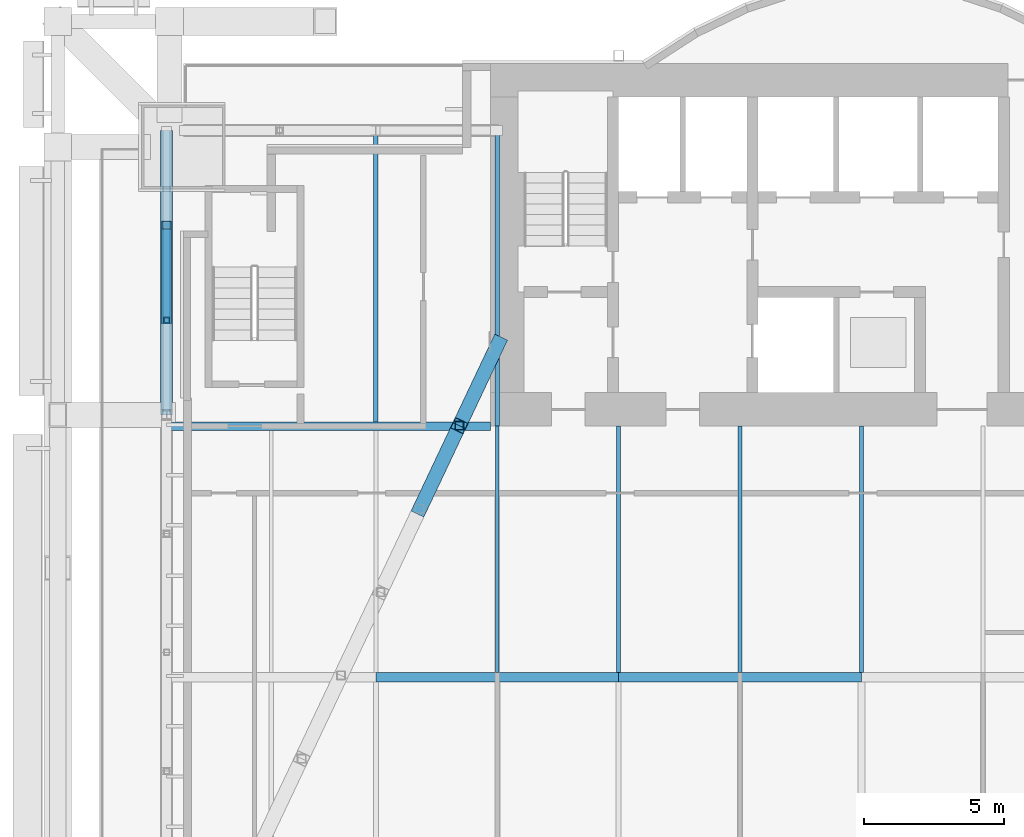
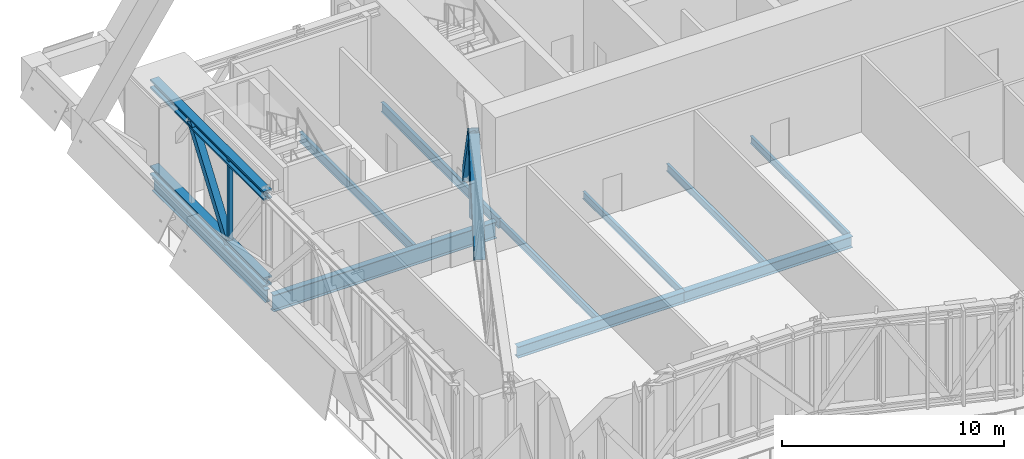
# One storey, part 9 of 32: 10 beams, 7 members.
"""IFC4 building model written with IfcOpenShell, lengths in metres."""

from ifc_helpers import new_model, si_unit, direction, frame, origin, origin_2d, place, context, subcontext, project, spatial, hollow_rectangle, i_section, extrude, material, material_profile, profile_set, type_object, element, save


model = new_model("IFC4")

# Units and contexts
model_context = context("Model", 3, precision=1e-05, world=origin(), true_north=direction((0.0, 1.0)))
body_context = subcontext(model_context, "Body", "Model", "MODEL_VIEW")
ifc_project = project(units=[si_unit("LENGTHUNIT", "METRE"), si_unit("AREAUNIT", "SQUARE_METRE"), si_unit("VOLUMEUNIT", "CUBIC_METRE"), si_unit("PLANEANGLEUNIT", "RADIAN"), si_unit("MASSUNIT", "GRAM", prefix="KILO")], contexts=[model_context])

# Site, building, storey
site_placement = place(None, origin())
site = spatial("IfcSite", under=ifc_project, at=site_placement, CompositionType="ELEMENT")
building_placement = place(site_placement, origin())
building = spatial("IfcBuilding", under=site, at=building_placement, Name="Bicima Exchange Tower", CompositionType="ELEMENT")
storey_placement = place(building_placement, frame((0.0, 0.0, 135.0)))
storey = spatial("IfcBuildingStorey", under=building, at=storey_placement, Name="L29", CompositionType="ELEMENT", Elevation=135.0)

# Members
ifc_material_1 = material(Name="Steel ASTM A992 Gr 50", Category="steel")
ifc_material_profile_1 = material_profile(ifc_material_1, i_section(OverallWidth=0.431884765625, OverallDepth=0.497802734375, WebThickness=0.0556640625, FlangeThickness=0.0888671875, at=origin_2d()))
ifc_profile_set_1 = profile_set([ifc_material_profile_1], Name="Steel ASTM A992 Gr 50")
member_type_1 = type_object("IfcMemberType", Name="Belt truss chord W14x500", PredefinedType="CHORD", material=ifc_profile_set_1)
for number, where, z_axis, x_axis, name in (
    (1, (-33.60009765625, -2.39990234375, 5.001220703125), (0.0, -1.0, 0.0), (1.0, 0.0, 0.0), "Top chord"),
    (2, (-33.60009765625, -2.39990234375, 0.248779296875), (0.0, -1.0, 0.0), (1.0, 0.0, 0.0), "Bottom chord"),
):
    element("IfcMember", number, at=place(storey_placement, frame(where, z_axis=z_axis, x_axis=x_axis)), inside=storey, type_object=member_type_1, Name=name, PredefinedType="CHORD", context=body_context, shape_type="SweptSolid", body=[
        extrude(i_section(OverallWidth=0.431884765625, OverallDepth=0.497802734375, WebThickness=0.0556640625, FlangeThickness=0.0888671875, at=origin_2d()), origin(), (0.0, 0.0, 1.0), 10.2001953125),
    ])
ifc_material_2 = material(Name="Steel ASTM A572 Gr 50", Category="steel")
ifc_material_profile_2 = material_profile(ifc_material_2, hollow_rectangle(XDim=0.355712890625, YDim=0.355712890625, WallThickness=0.0146484375, at=origin_2d()))
ifc_profile_set_2 = profile_set([ifc_material_profile_2], Name="Steel ASTM A572 Gr 50")
member_type_2 = type_object("IfcMemberType", Name="Belt truss diagonal HSS14x14x5/8", PredefinedType="STRUT", material=ifc_profile_set_2)
member_1_placement = place(storey_placement, frame((-33.60009765625, -5.800048828125, 5.001220703125), z_axis=(0.0, -0.581838774812, -0.813304149827), x_axis=(1.0, 0.0, 0.0)))
element("IfcMember", 3, at=member_1_placement, inside=storey, type_object=member_type_2, Name="Truss diagonal", PredefinedType="STRUT", context=body_context, shape_type="SweptSolid", body=[
    extrude(hollow_rectangle(XDim=0.355712890625, YDim=0.355712890625, WallThickness=0.0146484375, at=origin_2d()), origin(), (0.0, 0.0, 1.0), 5.84326171875),
])
ifc_material_profile_3 = material_profile(ifc_material_2, hollow_rectangle(XDim=0.203125, YDim=0.203125, WallThickness=0.01171875, at=origin_2d()))
ifc_profile_set_3 = profile_set([ifc_material_profile_3], Name="Steel ASTM A572 Gr 50")
member_type_3 = type_object("IfcMemberType", Name="Belt truss post HSS8x8x1/2", PredefinedType="POST", material=ifc_profile_set_3)
member_2_placement = place(storey_placement, frame((-33.60009765625, -9.199951171875, 0.248779296875), z_axis=(0.0, 0.0, 1.0), x_axis=(1.0, 0.0, 0.0)))
element("IfcMember", 4, at=member_2_placement, inside=storey, type_object=member_type_3, Name="Truss post", PredefinedType="POST", context=body_context, shape_type="SweptSolid", body=[
    extrude(hollow_rectangle(XDim=0.203125, YDim=0.203125, WallThickness=0.01171875, at=origin_2d()), origin(), (0.0, 0.0, 1.0), 4.75244140625),
])

# Beams
ifc_material_profile_4 = material_profile(ifc_material_1, i_section(OverallWidth=0.3046875, OverallDepth=0.911865234375, WebThickness=0.015869140625, FlangeThickness=0.02392578125, at=origin_2d()))
ifc_profile_set_4 = profile_set([ifc_material_profile_4], Name="Steel ASTM A992 Gr 50")
beam_type_1 = type_object("IfcBeamType", Name="Core-line girder W36x150", PredefinedType="BEAM", material=ifc_profile_set_4)
beam_1_placement = place(storey_placement, frame((-22.0, -13.0, -0.656005859375), z_axis=(-1.0, 0.0, 0.0), x_axis=(0.0, -1.0, 0.0)))
element("IfcBeam", 5, at=beam_1_placement, inside=storey, type_object=beam_type_1, Name="Core-line girder", PredefinedType="BEAM", context=body_context, shape_type="SweptSolid", body=[
    extrude(i_section(OverallWidth=0.3046875, OverallDepth=0.911865234375, WebThickness=0.015869140625, FlangeThickness=0.02392578125, at=origin_2d()), origin(), (0.0, 0.0, 1.0), 11.60009765625),
])
ifc_material_profile_5 = material_profile(ifc_material_1, i_section(OverallWidth=0.256591796875, OverallDepth=0.693359375, WebThickness=0.014404296875, FlangeThickness=0.023681640625, at=origin_2d()))
ifc_profile_set_5 = profile_set([ifc_material_profile_5], Name="Steel ASTM A992 Gr 50")
beam_type_2 = type_object("IfcBeamType", Name="End girder W27x114", PredefinedType="BEAM", material=ifc_profile_set_5)
beam_2_placement = place(storey_placement, frame((-33.60009765625, -2.39990234375, -0.546630859375), z_axis=(0.0, -1.0, 0.0), x_axis=(1.0, 0.0, 0.0)))
element("IfcBeam", 6, at=beam_2_placement, inside=storey, type_object=beam_type_2, Name="End girder", PredefinedType="BEAM", context=body_context, shape_type="SweptSolid", body=[
    extrude(i_section(OverallWidth=0.256591796875, OverallDepth=0.693359375, WebThickness=0.014404296875, FlangeThickness=0.023681640625, at=origin_2d()), origin(), (0.0, 0.0, 1.0), 10.2001953125),
])
ifc_material_profile_6 = material_profile(ifc_material_1, i_section(OverallWidth=0.140380859375, OverallDepth=0.40380859375, WebThickness=0.007080078125, FlangeThickness=0.01123046875, at=origin_2d()))
ifc_profile_set_6 = profile_set([ifc_material_profile_6], Name="Steel ASTM A992 Gr 50")
beam_type_3 = type_object("IfcBeamType", Name="Floor beam W16x31", PredefinedType="JOIST", material=ifc_profile_set_6)
for number, where, z_axis, x_axis, name in (
    (7, (-21.75, -13.0, -0.40185546875), (0.0, -1.0, 0.0), (1.0, 0.0, 0.0), "Floor beam"),
    (8, (-17.39990234375, -13.0, -0.40185546875), (0.0, -1.0, 0.0), (1.0, 0.0, 0.0), "Floor beam"),
    (9, (-13.050048828125, -13.0, -0.40185546875), (0.0, -1.0, 0.0), (1.0, 0.0, 0.0), "Floor beam"),
    (10, (-8.699951171875, -13.0, -0.40185546875), (0.0, -1.0, 0.0), (1.0, 0.0, 0.0), "Floor beam"),
):
    element("IfcBeam", number, at=place(storey_placement, frame(where, z_axis=z_axis, x_axis=x_axis)), inside=storey, type_object=beam_type_3, Name=name, PredefinedType="JOIST", context=body_context, shape_type="SweptSolid", body=[
        extrude(i_section(OverallWidth=0.140380859375, OverallDepth=0.40380859375, WebThickness=0.007080078125, FlangeThickness=0.01123046875, at=origin_2d()), origin(), (0.0, 0.0, 1.0), 8.83740234375),
    ])
ifc_material_profile_7 = material_profile(ifc_material_1, i_section(OverallWidth=0.165771484375, OverallDepth=0.5283203125, WebThickness=0.009765625, FlangeThickness=0.013671875, at=origin_2d()))
ifc_profile_set_7 = profile_set([ifc_material_profile_7], Name="Steel ASTM A992 Gr 50")
beam_type_4 = type_object("IfcBeamType", Name="Floor beam W21x50", PredefinedType="JOIST", material=ifc_profile_set_7)
beam_3_placement = place(storey_placement, frame((-26.10009765625, -2.5625, -0.464111328125), z_axis=(0.0, -1.0, 0.0), x_axis=(1.0, 0.0, 0.0)))
element("IfcBeam", 11, at=beam_3_placement, inside=storey, type_object=beam_type_4, Name="Floor beam", PredefinedType="JOIST", context=body_context, shape_type="SweptSolid", body=[
    extrude(i_section(OverallWidth=0.165771484375, OverallDepth=0.5283203125, WebThickness=0.009765625, FlangeThickness=0.013671875, at=origin_2d()), origin(), (0.0, 0.0, 1.0), 10.28515625),
])
beam_4_placement = place(storey_placement, frame((-21.75, -2.39990234375, -0.464111328125), z_axis=(0.0, -1.0, 0.0), x_axis=(1.0, 0.0, 0.0)))
element("IfcBeam", 12, at=beam_4_placement, inside=storey, type_object=beam_type_4, Name="Floor beam", PredefinedType="JOIST", context=body_context, shape_type="SweptSolid", body=[
    extrude(i_section(OverallWidth=0.165771484375, OverallDepth=0.5283203125, WebThickness=0.009765625, FlangeThickness=0.013671875, at=origin_2d()), origin(), (0.0, 0.0, 1.0), 10.60009765625),
])

# Members
ifc_material_profile_8 = material_profile(ifc_material_2, hollow_rectangle(XDim=0.508056640625, YDim=0.508056640625, WallThickness=0.017822265625, at=origin_2d()))
ifc_profile_set_8 = profile_set([ifc_material_profile_8], Name="Steel ASTM A572 Gr 50")
member_type_4 = type_object("IfcMemberType", Name="Outrigger truss diagonal HSS20x20x3/4", PredefinedType="STRUT", material=ifc_profile_set_8)
for number, where, z_axis, x_axis, name in (
    (13, (-21.699951171875, -10.0, 0.284423828125), (-0.246620818769, -0.520819181566, 0.817267123934), (0.903793556937, -0.427968697965, 0.0), "Truss diagonal"),
    (14, (-23.112548828125, -12.983154296875, 4.965576171875), (-0.24657531281, -0.520855716946, -0.817257570927), (0.90383570832, -0.427879670428, 0.0), "Truss diagonal"),
):
    element("IfcMember", number, at=place(storey_placement, frame(where, z_axis=z_axis, x_axis=x_axis)), inside=storey, type_object=member_type_4, Name=name, PredefinedType="STRUT", context=body_context, shape_type="SweptSolid", body=[
        extrude(hollow_rectangle(XDim=0.508056640625, YDim=0.508056640625, WallThickness=0.017822265625, at=origin_2d()), origin(), (0.0, 0.0, 1.0), 5.727783203125),
    ])
ifc_material_profile_9 = material_profile(ifc_material_2, hollow_rectangle(XDim=0.3046875, YDim=0.3046875, WallThickness=0.01171875, at=origin_2d()))
ifc_profile_set_9 = profile_set([ifc_material_profile_9], Name="Steel ASTM A572 Gr 50")
member_type_5 = type_object("IfcMemberType", Name="Outrigger truss post HSS12x12x1/2", PredefinedType="POST", material=ifc_profile_set_9)
member_3_placement = place(storey_placement, frame((-23.112548828125, -12.983154296875, 0.284423828125), z_axis=(0.0, 0.0, 1.0), x_axis=(1.0, 0.0, 0.0)))
element("IfcMember", 15, at=member_3_placement, inside=storey, type_object=member_type_5, Name="Truss post", PredefinedType="POST", context=body_context, shape_type="SweptSolid", body=[
    extrude(hollow_rectangle(XDim=0.3046875, YDim=0.3046875, WallThickness=0.01171875, at=origin_2d()), origin(), (0.0, 0.0, 1.0), 4.68115234375),
])

# Beams
ifc_material_profile_10 = material_profile(ifc_material_1, i_section(OverallWidth=0.3251953125, OverallDepth=0.612060546875, WebThickness=0.0126953125, FlangeThickness=0.01904296875, at=origin_2d()))
ifc_profile_set_10 = profile_set([ifc_material_profile_10], Name="Steel ASTM A992 Gr 50")
beam_type_5 = type_object("IfcBeamType", Name="Row girder W24x104", PredefinedType="BEAM", material=ifc_profile_set_10)
beam_5_placement = place(storey_placement, frame((-26.10009765625, -22.0, -0.506103515625), z_axis=(1.0, 0.0, 0.0), x_axis=(0.0, 1.0, 0.0)))
element("IfcBeam", 16, at=beam_5_placement, inside=storey, type_object=beam_type_5, Name="Row girder", PredefinedType="BEAM", context=body_context, shape_type="SweptSolid", body=[
    extrude(i_section(OverallWidth=0.3251953125, OverallDepth=0.612060546875, WebThickness=0.0126953125, FlangeThickness=0.01904296875, at=origin_2d()), origin(), (0.0, 0.0, 1.0), 8.7001953125),
])
beam_6_placement = place(storey_placement, frame((-17.39990234375, -22.0, -0.506103515625), z_axis=(1.0, 0.0, 0.0), x_axis=(0.0, 1.0, 0.0)))
element("IfcBeam", 17, at=beam_6_placement, inside=storey, type_object=beam_type_5, Name="Row girder", PredefinedType="BEAM", context=body_context, shape_type="SweptSolid", body=[
    extrude(i_section(OverallWidth=0.3251953125, OverallDepth=0.612060546875, WebThickness=0.0126953125, FlangeThickness=0.01904296875, at=origin_2d()), origin(), (0.0, 0.0, 1.0), 8.699951171875),
])

save(model, "model.ifc")
